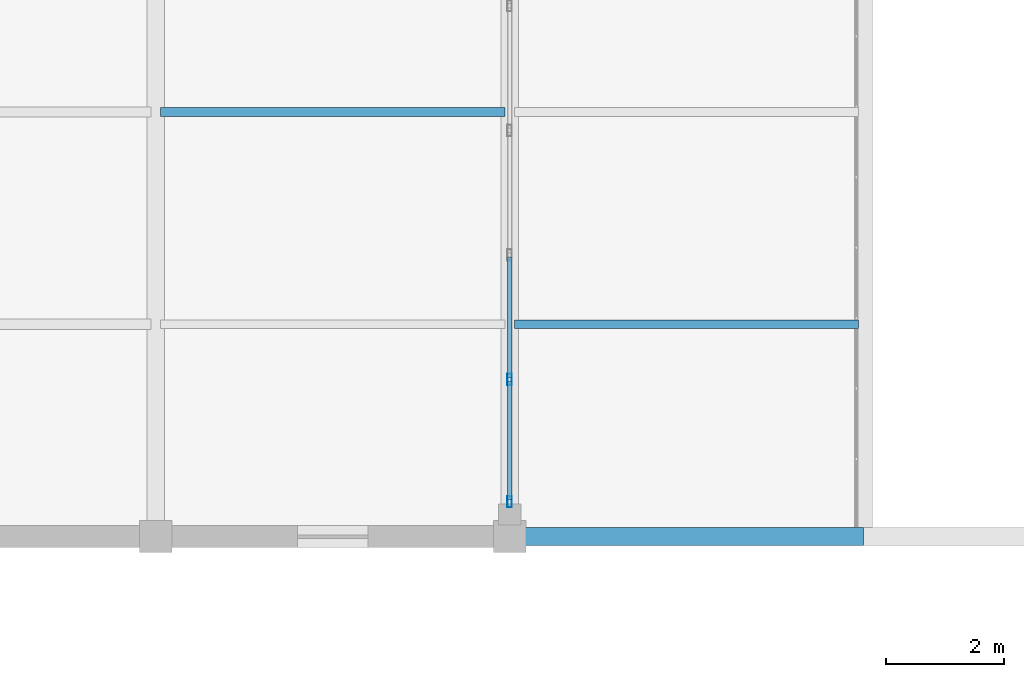
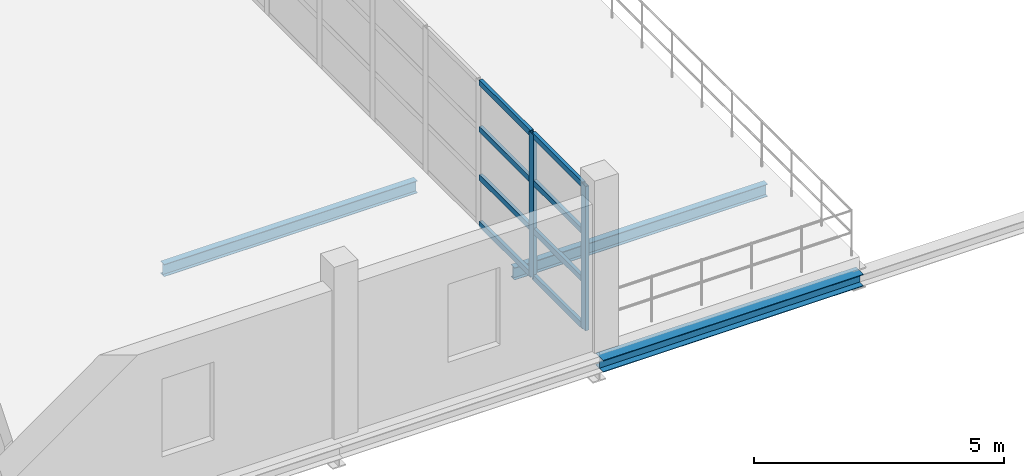
# One storey, part 9 of 86: 10 members, 3 beams, 1 element without a shape of its own.
"""IFC4 building model written with IfcOpenShell, lengths in metres."""

from ifc_helpers import new_model, si_unit, direction, frame, origin, origin_2d, place, context, subcontext, project, spatial, hollow_rectangle, i_section, extrude, material, layer, layer_set, material_profile, profile_set, type_object, element, aggregate, save


model = new_model("IFC4")

# Units and contexts
model_context = context("Model", 3, precision=1e-05, world=origin(), true_north=direction((0.0, 1.0)))
body_context = subcontext(model_context, "Body", "Model", "MODEL_VIEW")
ifc_project = project(units=[si_unit("LENGTHUNIT", "METRE"), si_unit("AREAUNIT", "SQUARE_METRE"), si_unit("VOLUMEUNIT", "CUBIC_METRE"), si_unit("PLANEANGLEUNIT", "RADIAN"), si_unit("MASSUNIT", "GRAM", prefix="KILO")], contexts=[model_context])

# Site, building, storey
site_placement = place(None, origin())
site = spatial("IfcSite", under=ifc_project, at=site_placement, CompositionType="ELEMENT")
building_placement = place(site_placement, origin())
building = spatial("IfcBuilding", under=site, at=building_placement, Name="Zilviju Railside Exhibition Hall", CompositionType="ELEMENT")
storey_placement = place(building_placement, frame((0.0, 0.0, 12.60009765625)))
storey = spatial("IfcBuildingStorey", under=building, at=storey_placement, Name="L04", CompositionType="ELEMENT", Elevation=12.60009765625)

# Beams
ifc_material_1 = material(Name="Steel S355J2", Category="steel")
ifc_material_profile_1 = material_profile(ifc_material_1, i_section(OverallWidth=0.300048828125, OverallDepth=0.2900390625, WebThickness=0.008544921875, FlangeThickness=0.013916015625, at=origin_2d()), Name="HEA 300")
ifc_profile_set_1 = profile_set([ifc_material_profile_1], Name="Steel S355J2")
beam_type_1 = type_object("IfcBeamType", Name="BM-HEA300", PredefinedType="SPANDREL", material=ifc_profile_set_1)
beam_placement = place(storey_placement, frame((42.0, 84.0, -0.485107421875), z_axis=(1.0, 0.0, 0.0), x_axis=(0.0, 1.0, 0.0)))
element("IfcBeam", 1, at=beam_placement, inside=storey, type_object=beam_type_1, Name="Primary Girder L04 Y=84.0 (42.0..48.0)", PredefinedType="SPANDREL", context=body_context, shape_type="SweptSolid", body=[
    extrude(i_section(OverallWidth=0.300048828125, OverallDepth=0.2900390625, WebThickness=0.008544921875, FlangeThickness=0.013916015625, at=origin_2d()), origin(), (0.0, 0.0, 1.0), 6.0),
])
ifc_material_profile_2 = material_profile(ifc_material_1, i_section(OverallWidth=0.14990234375, OverallDepth=0.300048828125, WebThickness=0.007080078125, FlangeThickness=0.0107421875, at=origin_2d()), Name="IPE 300")
ifc_profile_set_2 = profile_set([ifc_material_profile_2], Name="Steel S355J2")
beam_type_2 = type_object("IfcBeamType", Name="BM-IPE300", PredefinedType="JOIST", material=ifc_profile_set_2)
for number, where, z_axis, x_axis, name in (
    (2, (36.080078125, 91.199951171875, -0.489990234375), (1.0, 0.0, 0.0), (0.0, 1.0, 0.0), "Composite Floor Joist L04 Y=91.20 (36.0..42.0)"),
    (3, (42.080078125, 87.60009765625, -0.489990234375), (1.0, 0.0, 0.0), (0.0, 1.0, 0.0), "Composite Floor Joist L04 Y=87.60 (42.0..48.0)"),
):
    element("IfcBeam", number, at=place(storey_placement, frame(where, z_axis=z_axis, x_axis=x_axis)), inside=storey, type_object=beam_type_2, Name=name, PredefinedType="JOIST", context=body_context, shape_type="SweptSolid", body=[
        extrude(i_section(OverallWidth=0.14990234375, OverallDepth=0.300048828125, WebThickness=0.007080078125, FlangeThickness=0.0107421875, at=origin_2d()), origin(), (0.0, 0.0, 1.0), 5.83984375),
    ])

# Curtain wall, members
ifc_material_2 = material(Name="Thermally broken aluminium-steel triple-glazed curtain wall", Category="steel")
ifc_layer = layer(ifc_material_2, 0.179931640625)
ifc_layer_set = layer_set([ifc_layer], Name="Thermally broken aluminium-steel triple-glazed curtain wall")
curtain_wall_type = type_object("IfcCurtainWallType", Name="CW-BAY-07", PredefinedType="USERDEFINED", material=ifc_layer_set)
curtain_wall_placement = place(storey_placement, origin())
curtain_wall = element("IfcCurtainWall", 4, at=curtain_wall_placement, inside=storey, type_object=curtain_wall_type, Name="Organisers L04 Terrace Lounge Curtain Wall", ObjectType="GLAZED CURTAIN WALL", PredefinedType="USERDEFINED")
ifc_material_3 = material(Name="Thermally broken anodized aluminium mullion", Category="aluminium")
ifc_material_profile_3 = material_profile(ifc_material_3, hollow_rectangle(XDim=0.074951171875, YDim=0.18994140625, WallThickness=0.0048828125, at=origin_2d()), Name="MULLION 190x75x5")
ifc_profile_set_3 = profile_set([ifc_material_profile_3], Name="Thermally broken anodized aluminium mullion")
member_type_1 = type_object("IfcMemberType", Name="CWM-75x190", PredefinedType="MULLION", material=ifc_profile_set_3)
member_1_placement = place(storey_placement, frame((42.0, 86.66259765625, 0.0), z_axis=(0.0, 0.0, 1.0), x_axis=(1.0, 0.0, 0.0)))
member_1 = element("IfcMember", 5, at=member_1_placement, type_object=member_type_1, Name="CW-07 mullion 8", PredefinedType="MULLION", context=body_context, shape_type="SweptSolid", body=[
    extrude(hollow_rectangle(XDim=0.074951171875, YDim=0.18994140625, WallThickness=0.0048828125, at=origin_2d()), origin(), (0.0, 0.0, 1.0), 3.52001953125),
])
member_2_placement = place(storey_placement, frame((42.0, 84.58740234375, 0.0), z_axis=(0.0, 0.0, 1.0), x_axis=(1.0, 0.0, 0.0)))
member_2 = element("IfcMember", 6, at=member_2_placement, type_object=member_type_1, Name="CW-07 mullion 9", PredefinedType="MULLION", context=body_context, shape_type="SweptSolid", body=[
    extrude(hollow_rectangle(XDim=0.074951171875, YDim=0.18994140625, WallThickness=0.0048828125, at=origin_2d()), origin(), (0.0, 0.0, 1.0), 3.52001953125),
])
ifc_material_4 = material(Name="Thermally broken anodized aluminium transom", Category="aluminium")
ifc_material_profile_4 = material_profile(ifc_material_4, hollow_rectangle(XDim=0.074951171875, YDim=0.139892578125, WallThickness=0.0048828125, at=origin_2d()), Name="TRANSOM 140x75x5")
ifc_profile_set_4 = profile_set([ifc_material_profile_4], Name="Thermally broken anodized aluminium transom")
member_type_2 = type_object("IfcMemberType", Name="CWT-75x140", PredefinedType="USERDEFINED", material=ifc_profile_set_4)
member_3_placement = place(storey_placement, frame((42.0, 88.737548828125, 0.037353515625), z_axis=(0.0, -1.0, 0.0), x_axis=(1.0, 0.0, 0.0)))
member_3 = element("IfcMember", 7, at=member_3_placement, type_object=member_type_2, Name="CW-07 transom 7.1", ObjectType="TRANSOM", PredefinedType="USERDEFINED", context=body_context, shape_type="SweptSolid", body=[
    extrude(hollow_rectangle(XDim=0.074951171875, YDim=0.139892578125, WallThickness=0.0048828125, at=origin_2d()), origin(), (0.0, 0.0, 1.0), 2.03759765625),
])
member_4_placement = place(storey_placement, frame((42.0, 88.737548828125, 1.1728515625), z_axis=(0.0, -1.0, 0.0), x_axis=(1.0, 0.0, 0.0)))
member_4 = element("IfcMember", 8, at=member_4_placement, type_object=member_type_2, Name="CW-07 transom 7.2", ObjectType="TRANSOM", PredefinedType="USERDEFINED", context=body_context, shape_type="SweptSolid", body=[
    extrude(hollow_rectangle(XDim=0.074951171875, YDim=0.139892578125, WallThickness=0.0048828125, at=origin_2d()), origin(), (0.0, 0.0, 1.0), 2.03759765625),
])
member_5_placement = place(storey_placement, frame((42.0, 88.737548828125, 2.346923828125), z_axis=(0.0, -1.0, 0.0), x_axis=(1.0, 0.0, 0.0)))
member_5 = element("IfcMember", 9, at=member_5_placement, type_object=member_type_2, Name="CW-07 transom 7.3", ObjectType="TRANSOM", PredefinedType="USERDEFINED", context=body_context, shape_type="SweptSolid", body=[
    extrude(hollow_rectangle(XDim=0.074951171875, YDim=0.139892578125, WallThickness=0.0048828125, at=origin_2d()), origin(), (0.0, 0.0, 1.0), 2.03759765625),
])
member_6_placement = place(storey_placement, frame((42.0, 88.737548828125, 3.482421875), z_axis=(0.0, -1.0, 0.0), x_axis=(1.0, 0.0, 0.0)))
member_6 = element("IfcMember", 10, at=member_6_placement, type_object=member_type_2, Name="CW-07 transom 7.4", ObjectType="TRANSOM", PredefinedType="USERDEFINED", context=body_context, shape_type="SweptSolid", body=[
    extrude(hollow_rectangle(XDim=0.074951171875, YDim=0.139892578125, WallThickness=0.0048828125, at=origin_2d()), origin(), (0.0, 0.0, 1.0), 2.03759765625),
])
member_7_placement = place(storey_placement, frame((42.0, 86.625, 0.037353515625), z_axis=(0.0, -1.0, 0.0), x_axis=(1.0, 0.0, 0.0)))
member_7 = element("IfcMember", 11, at=member_7_placement, type_object=member_type_2, Name="CW-07 transom 8.1", ObjectType="TRANSOM", PredefinedType="USERDEFINED", context=body_context, shape_type="SweptSolid", body=[
    extrude(hollow_rectangle(XDim=0.074951171875, YDim=0.139892578125, WallThickness=0.0048828125, at=origin_2d()), origin(), (0.0, 0.0, 1.0), 2.0),
])
member_8_placement = place(storey_placement, frame((42.0, 86.625, 1.1728515625), z_axis=(0.0, -1.0, 0.0), x_axis=(1.0, 0.0, 0.0)))
member_8 = element("IfcMember", 12, at=member_8_placement, type_object=member_type_2, Name="CW-07 transom 8.2", ObjectType="TRANSOM", PredefinedType="USERDEFINED", context=body_context, shape_type="SweptSolid", body=[
    extrude(hollow_rectangle(XDim=0.074951171875, YDim=0.139892578125, WallThickness=0.0048828125, at=origin_2d()), origin(), (0.0, 0.0, 1.0), 2.0),
])
member_9_placement = place(storey_placement, frame((42.0, 86.625, 2.346923828125), z_axis=(0.0, -1.0, 0.0), x_axis=(1.0, 0.0, 0.0)))
member_9 = element("IfcMember", 13, at=member_9_placement, type_object=member_type_2, Name="CW-07 transom 8.3", ObjectType="TRANSOM", PredefinedType="USERDEFINED", context=body_context, shape_type="SweptSolid", body=[
    extrude(hollow_rectangle(XDim=0.074951171875, YDim=0.139892578125, WallThickness=0.0048828125, at=origin_2d()), origin(), (0.0, 0.0, 1.0), 2.0),
])
member_10_placement = place(storey_placement, frame((42.0, 86.625, 3.482421875), z_axis=(0.0, -1.0, 0.0), x_axis=(1.0, 0.0, 0.0)))
member_10 = element("IfcMember", 14, at=member_10_placement, type_object=member_type_2, Name="CW-07 transom 8.4", ObjectType="TRANSOM", PredefinedType="USERDEFINED", context=body_context, shape_type="SweptSolid", body=[
    extrude(hollow_rectangle(XDim=0.074951171875, YDim=0.139892578125, WallThickness=0.0048828125, at=origin_2d()), origin(), (0.0, 0.0, 1.0), 2.0),
])
aggregate(curtain_wall, [member_1, member_2, member_3, member_4, member_5, member_6, member_7, member_8, member_9, member_10])

save(model, "model.ifc")
